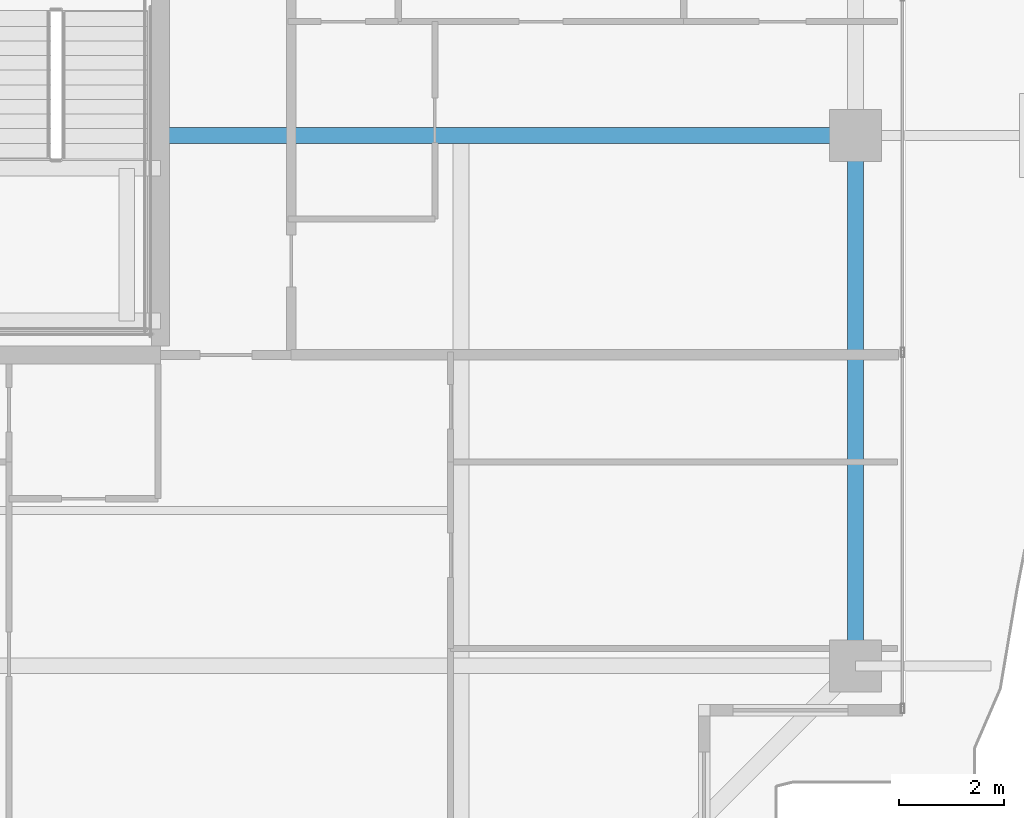
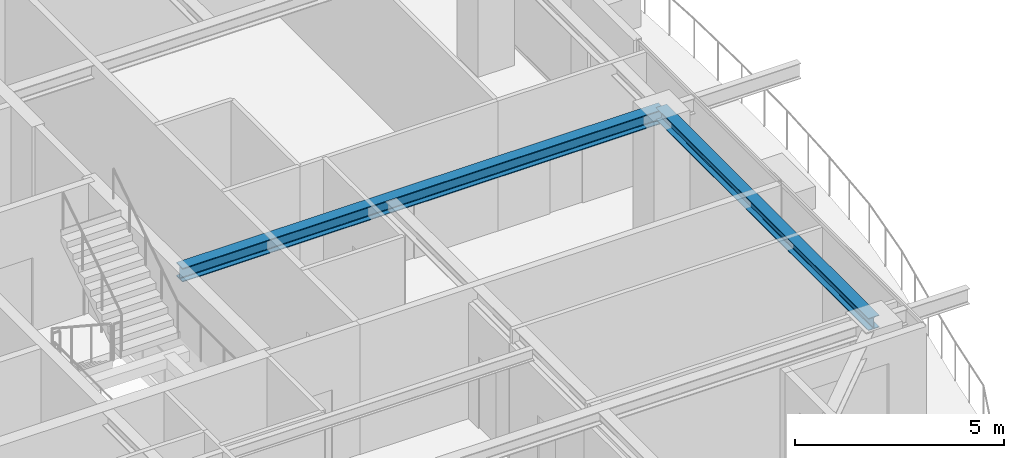
# One storey, part 15 of 42: 2 beams.
"""IFC4 building model written with IfcOpenShell, lengths in metres."""

import ifcopenshell
import ifcopenshell.guid

model = None  # the IFC model being written
_history = None  # IfcOwnerHistory: only IFC2X3 demands one
_inside = {}  # id of a spatial element -> (the spatial element, [elements in it])
_under = {}  # id of a project, library or spatial element -> (it, [spatial elements below it])
_declared = {}  # id of a project -> (the project, [libraries it declares])
_typed = {}  # id of a type object -> (the type object, [elements of that type])
_made_of = {}  # id of a material, layer set ... -> (it, [elements and type objects made of it])


def new_model(schema):
    """Start an empty IFC model of exactly this schema.

    Asked for "IFC4X3", IfcOpenShell would pick the latest addendum, in which some entities
    have other attributes; the version numbers below select the first issue.
    IFC2X3 requires an IfcOwnerHistory on every rooted entity: one is made here for all.
    """
    global model, _history
    if schema == "IFC4X3":
        model = ifcopenshell.file(schema_version=(4, 3, 0, 0))
    else:
        model = ifcopenshell.file(schema=schema)
    _inside.clear()
    _under.clear()
    _declared.clear()
    _typed.clear()
    _made_of.clear()
    _history = None
    if model.schema == "IFC2X3":
        org = make("IfcOrganization", Name="unknown")
        user = make(
            "IfcPersonAndOrganization",
            ThePerson=make("IfcPerson", FamilyName="unknown"),
            TheOrganization=org,
        )
        app = make(
            "IfcApplication",
            ApplicationDeveloper=org,
            Version="unknown",
            ApplicationFullName="unknown",
            ApplicationIdentifier="unknown",
        )
        _history = make(
            "IfcOwnerHistory",
            OwningUser=user,
            OwningApplication=app,
            ChangeAction="ADDED",
            CreationDate=0,
        )
    return model


def make(cls, **values):
    """One entity of the class cls with the attributes given. An attribute that is None is left unset."""
    return model.create_entity(
        cls, **{name: value for name, value in values.items() if value is not None}
    )


def rooted(cls, **values):
    """An entity with a GlobalId (a new one), such as an element, a storey or a relation."""
    return make(cls, GlobalId=ifcopenshell.guid.new(), OwnerHistory=_history, **values)


def si_unit(unit_type, name, prefix=None):
    """IfcSIUnit, for example si_unit("LENGTHUNIT", "METRE", prefix="MILLI")."""
    return make("IfcSIUnit", UnitType=unit_type, Prefix=prefix, Name=name)


def assignment(units):
    """IfcUnitAssignment: the units of a project."""
    return None if units is None else make("IfcUnitAssignment", Units=units)


def point(xyz):
    """IfcCartesianPoint."""
    return None if xyz is None else make("IfcCartesianPoint", Coordinates=xyz)


def direction(xyz):
    """IfcDirection."""
    return None if xyz is None else make("IfcDirection", DirectionRatios=xyz)


def frame(location, z_axis=None, x_axis=None):
    """IfcAxis2Placement3D, a coordinate frame: its origin and axes. An axis left out is left unset."""
    return make(
        "IfcAxis2Placement3D",
        Location=point(location),
        Axis=direction(z_axis),
        RefDirection=direction(x_axis),
    )


def frame_2d(location, x_axis=None):
    """IfcAxis2Placement2D, a coordinate frame in the plane: its origin and x axis."""
    return make(
        "IfcAxis2Placement2D", Location=point(location), RefDirection=direction(x_axis)
    )


def origin():
    """The frame at (0, 0, 0) with its axes left unset."""
    return frame((0.0, 0.0, 0.0))


def origin_2d():
    """The frame at (0, 0) in the plane with its x axis left unset."""
    return frame_2d((0.0, 0.0))


def place(relative_to, where):
    """IfcLocalPlacement: puts the frame where relative to a parent placement (None: the world)."""
    return make(
        "IfcLocalPlacement", PlacementRelTo=relative_to, RelativePlacement=where
    )


def context(
    kind, dimensions, precision=None, world=None, true_north=None, identifier=None
):
    """IfcGeometricRepresentationContext, for example the 3D "Model" context."""
    return make(
        "IfcGeometricRepresentationContext",
        ContextIdentifier=identifier,
        ContextType=kind,
        CoordinateSpaceDimension=dimensions,
        Precision=precision,
        WorldCoordinateSystem=world,
        TrueNorth=true_north,
    )


def subcontext(parent, identifier, kind, view, scale=None):
    """IfcGeometricRepresentationSubContext, for example "Body" below "Model"."""
    return make(
        "IfcGeometricRepresentationSubContext",
        ContextIdentifier=identifier,
        ContextType=kind,
        ParentContext=parent,
        TargetScale=scale,
        TargetView=view,
    )


def project(units=None, contexts=None):
    """IfcProject with its units and contexts."""
    return rooted(
        "IfcProject",
        Name="project",
        RepresentationContexts=contexts,
        UnitsInContext=assignment(units),
    )


def spatial(cls, under=None, at=None, **own):
    """A site, building, storey or space (cls), placed at a placement, below another one or the project."""
    s = rooted(cls, ObjectPlacement=at, **own)
    if under is not None:
        _under.setdefault(under.id(), (under, []))[1].append(s)
    return s


def profile(cls, at=None, kind="AREA", **sizes):
    """A parametric profile (cls). Its sizes go by their IFC names, for example OverallWidth=200.0."""
    return make(cls, ProfileType=kind, Position=at, **sizes)


def i_section(**sizes):
    """IfcIShapeProfileDef."""
    return profile("IfcIShapeProfileDef", **sizes)


def extrude(swept, where, along, depth):
    """IfcExtrudedAreaSolid: the profile swept, set in the frame where, extruded along a direction by depth."""
    return make(
        "IfcExtrudedAreaSolid",
        SweptArea=swept,
        Position=where,
        ExtrudedDirection=direction(along),
        Depth=depth,
    )


def shape(context_of_items, identifier, shape_type, items):
    """IfcShapeRepresentation: the items that make up one representation, for example the "Body"."""
    return make(
        "IfcShapeRepresentation",
        ContextOfItems=context_of_items,
        RepresentationIdentifier=identifier,
        RepresentationType=shape_type,
        Items=items,
    )


def source(mapping_origin, context_of_items, identifier, shape_type, items):
    """IfcRepresentationMap: a shape defined once, which mapped items show again and again."""
    return make(
        "IfcRepresentationMap",
        MappingOrigin=mapping_origin,
        MappedRepresentation=shape(context_of_items, identifier, shape_type, items),
    )


def transform(
    local_origin,
    x_axis=None,
    y_axis=None,
    z_axis=None,
    scale=None,
    scale2=None,
    scale3=None,
    uniform=True,
):
    """IfcCartesianTransformationOperator3D, or its non-uniform kind. x_axis, y_axis, z_axis: its Axis1, 2, 3."""
    if uniform:
        return make(
            "IfcCartesianTransformationOperator3D",
            Axis1=direction(x_axis),
            Axis2=direction(y_axis),
            LocalOrigin=point(local_origin),
            Scale=scale,
            Axis3=direction(z_axis),
        )
    return make(
        "IfcCartesianTransformationOperator3DnonUniform",
        Axis1=direction(x_axis),
        Axis2=direction(y_axis),
        LocalOrigin=point(local_origin),
        Scale=scale,
        Axis3=direction(z_axis),
        Scale2=scale2,
        Scale3=scale3,
    )


def mapped(mapping_source, mapping_target):
    """IfcMappedItem: shows the shape of a source again, moved by a transform."""
    return make(
        "IfcMappedItem", MappingSource=mapping_source, MappingTarget=mapping_target
    )


def material(Name=None, Category=None):
    """IfcMaterial."""
    return make("IfcMaterial", Name=Name, Category=Category)


def material_profile(
    of_material, cross_section, Name=None, Category=None, Priority=None
):
    """IfcMaterialProfile: a cross section and its material."""
    return make(
        "IfcMaterialProfile",
        Name=Name,
        Material=of_material,
        Profile=cross_section,
        Priority=Priority,
        Category=Category,
    )


def profile_set(profiles, Name=None, composite=None):
    """IfcMaterialProfileSet."""
    return make(
        "IfcMaterialProfileSet",
        Name=Name,
        MaterialProfiles=profiles,
        CompositeProfile=composite,
    )


def made_of(thing, what):
    """Note that an element or type object is made of a material, layer set ...; save() writes the relation."""
    if what is not None:
        _made_of.setdefault(what.id(), (what, []))[1].append(thing)
    return thing


def type_object(cls, material=None, **own):
    """A type object (cls), such as IfcWallType, which elements share."""
    return made_of(rooted(cls, **own), material)


def element(
    cls,
    number,
    at=None,
    inside=None,
    cuts=None,
    type_object=None,
    material=None,
    context=None,
    identifier="Body",
    shape_type=None,
    held_by="IfcProductDefinitionShape",
    body=None,
    shapes=None,
    **own,
):
    """One element of the class cls, such as IfcWall. Its Tag is "e" and its number.

    at: its placement. inside: the storey or other place that contains it. cuts: it is an
    opening in that element (IfcRelVoidsElement). A single representation is given by context,
    identifier, shape_type and body (its items); several are given by shapes. held_by: the class
    of the entity that holds the representations. save() writes the other relations.
    """
    e = rooted(cls, Tag="e%d" % number, ObjectPlacement=at, **own)
    if body is not None:
        shapes = [shape(context, identifier, shape_type, body)]
    if shapes is not None:
        e.Representation = make(held_by, Representations=shapes)
    if inside is not None:
        _inside.setdefault(inside.id(), (inside, []))[1].append(e)
    if cuts is not None:
        rooted(
            "IfcRelVoidsElement", RelatingBuildingElement=cuts, RelatedOpeningElement=e
        )
    if type_object is not None:
        _typed.setdefault(type_object.id(), (type_object, []))[1].append(e)
    return made_of(e, material)


def aggregate(whole, parts):
    """IfcRelAggregates: a whole, such as a stair, and the parts it consists of."""
    return rooted("IfcRelAggregates", RelatingObject=whole, RelatedObjects=parts)


def save(model, path):
    """Write the relations noted so far, then the file.

    IfcRelAggregates (storeys below a building ...), IfcRelContainedInSpatialStructure (elements
    in a storey), IfcRelDefinesByType, IfcRelAssociatesMaterial and IfcRelDeclares: one each for
    every whole, place, type object, material and project.
    """
    for whole, parts in _under.values():
        aggregate(whole, parts)
    for where, things in _inside.values():
        rooted(
            "IfcRelContainedInSpatialStructure",
            RelatedElements=things,
            RelatingStructure=where,
        )
    for kind, things in _typed.values():
        rooted("IfcRelDefinesByType", RelatedObjects=things, RelatingType=kind)
    for what, things in _made_of.values():
        rooted("IfcRelAssociatesMaterial", RelatedObjects=things, RelatingMaterial=what)
    for by, libraries in _declared.values():
        rooted("IfcRelDeclares", RelatingContext=by, RelatedDefinitions=libraries)
    model.write(path)


model = new_model("IFC4")

# Units and contexts
model_context = context("Model", 3, precision=1e-05, world=origin(), true_north=direction((0.0, 1.0)))
body_context = subcontext(model_context, "Body", "Model", "MODEL_VIEW")
ifc_project = project(units=[si_unit("LENGTHUNIT", "METRE"), si_unit("AREAUNIT", "SQUARE_METRE"), si_unit("VOLUMEUNIT", "CUBIC_METRE"), si_unit("PLANEANGLEUNIT", "RADIAN"), si_unit("MASSUNIT", "GRAM", prefix="KILO")], contexts=[model_context])

# Site, building, storey
site_placement = place(None, origin())
site = spatial("IfcSite", under=ifc_project, at=site_placement, CompositionType="ELEMENT")
building_placement = place(site_placement, origin())
building = spatial("IfcBuilding", under=site, at=building_placement, Name="Serunith Strait Residences", CompositionType="ELEMENT")
storey_placement = place(building_placement, frame((0.0, 0.0, 297.5)))
storey = spatial("IfcBuildingStorey", under=building, at=storey_placement, Name="L74", CompositionType="ELEMENT", Elevation=297.5)

# Beams
ifc_material = material(Name="Steel S355J2", Category="steel")
ifc_material_profile_1 = material_profile(ifc_material, i_section(OverallWidth=0.300048828125, OverallDepth=0.39990234375, WebThickness=0.013427734375, FlangeThickness=0.02392578125, FilletRadius=0.027099609375, at=origin_2d()), Name="HEB 400")
ifc_profile_set_1 = profile_set([ifc_material_profile_1], Name="Steel S355J2")
beam_type_1 = type_object("IfcBeamType", Name="BM-HEB400", PredefinedType="BEAM", material=ifc_profile_set_1)
shared_shape_1 = source(origin(), body_context, "Body", "SweptSolid", [
    extrude(i_section(OverallWidth=0.300048828125, OverallDepth=0.39990234375, WebThickness=0.013427734375, FlangeThickness=0.02392578125, FilletRadius=0.027099609375, at=origin_2d()), origin(), (0.0, 0.0, 1.0), 13.300048828125),
])
beam_1_placement = place(storey_placement, frame((41.39990234375, 21.0, 3.5869140625), z_axis=(1.0, 0.0, 0.0), x_axis=(0.0, 1.0, 0.0)))
element("IfcBeam", 1, at=beam_1_placement, inside=storey, type_object=beam_type_1, Name="L74 Primary Floor Girder TC-E2", PredefinedType="BEAM", context=body_context, shape_type="MappedRepresentation", body=[
    mapped(shared_shape_1, transform((0.0, 0.0, 0.0), scale=1.0)),
])
ifc_material_profile_2 = material_profile(ifc_material, i_section(OverallWidth=0.300048828125, OverallDepth=0.360107421875, WebThickness=0.012451171875, FlangeThickness=0.0224609375, FilletRadius=0.027099609375, at=origin_2d()), Name="HEB 360")
ifc_profile_set_2 = profile_set([ifc_material_profile_2], Name="Steel S355J2")
beam_type_2 = type_object("IfcBeamType", Name="BM-HEB360", PredefinedType="BEAM", material=ifc_profile_set_2)
shared_shape_2 = source(origin(), body_context, "Body", "SweptSolid", [
    extrude(i_section(OverallWidth=0.300048828125, OverallDepth=0.360107421875, WebThickness=0.012451171875, FlangeThickness=0.0224609375, FilletRadius=0.027099609375, at=origin_2d()), origin(), (0.0, 0.0, 1.0), 10.14990234375),
])
beam_2_placement = place(storey_placement, frame((54.699951171875, 10.85009765625, 3.60693359375), z_axis=(0.0, 1.0, 0.0), x_axis=(-1.0, 0.0, 0.0)))
element("IfcBeam", 2, at=beam_2_placement, inside=storey, type_object=beam_type_2, Name="L74 Perimeter Ring Beam 05", PredefinedType="BEAM", context=body_context, shape_type="MappedRepresentation", body=[
    mapped(shared_shape_2, transform((0.0, 0.0, 0.0), scale=1.0)),
])

save(model, "model.ifc")
